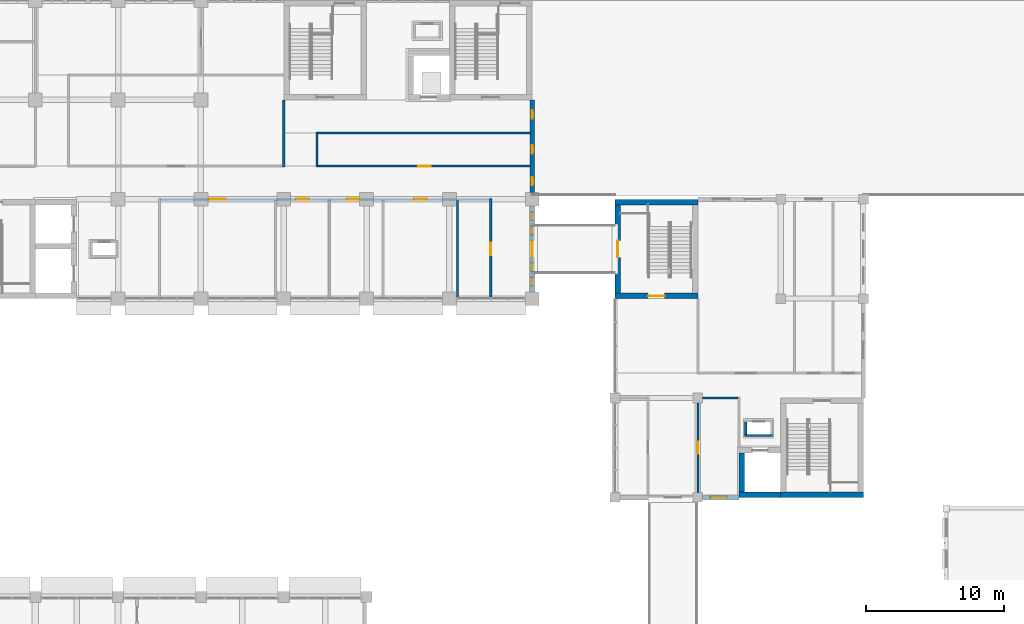
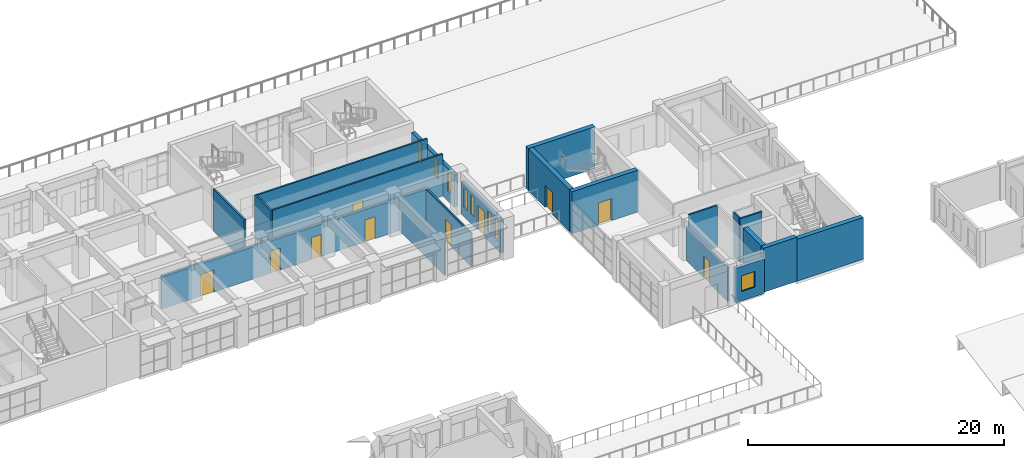
# One storey, part 76 of 101: 20 walls, 10 doors, 8 windows, 18 openings.
"""IFC4 building model written with IfcOpenShell, lengths in metres."""

from ifc_helpers import new_model, si_unit, direction, frame, frame_2d, origin, place, context, subcontext, project, spatial, rectangle, extrude, material, layer, layer_set, type_object, element, fill, save


model = new_model("IFC4")

# Units and contexts
model_context = context("Model", 3, precision=1e-05, world=origin(), true_north=direction((0.0, 1.0)))
body_context = subcontext(model_context, "Body", "Model", "MODEL_VIEW")
ifc_project = project(units=[si_unit("LENGTHUNIT", "METRE"), si_unit("AREAUNIT", "SQUARE_METRE"), si_unit("VOLUMEUNIT", "CUBIC_METRE"), si_unit("PLANEANGLEUNIT", "RADIAN"), si_unit("MASSUNIT", "GRAM", prefix="KILO")], contexts=[model_context])

# Site, building, storey
site_placement = place(None, origin())
site = spatial("IfcSite", under=ifc_project, at=site_placement, CompositionType="ELEMENT")
building_placement = place(site_placement, origin())
building = spatial("IfcBuilding", under=site, at=building_placement, Name="Laocheng Heights Fire and Rescue Headquarters", CompositionType="ELEMENT")
storey_placement = place(building_placement, frame((0.0, 0.0, 8.39990234375)))
storey = spatial("IfcBuildingStorey", under=building, at=storey_placement, Name="L02", CompositionType="ELEMENT", Elevation=8.39990234375)

# Wall, opening, door
ifc_material_1 = material(Name="Gypsum plaster")
ifc_layer_1 = layer(ifc_material_1, 0.010009765625, Name="PLASTER", Category="plaster")
ifc_material_2 = material(Name="Concrete blockwork MU10", Category="masonry")
ifc_layer_2 = layer(ifc_material_2, 0.1298828125, Name="BLOCKWORK", Category="masonry")
ifc_layer_3 = layer(ifc_material_1, 0.010009765625, Name="PLASTER", Category="plaster")
ifc_layer_set_1 = layer_set([ifc_layer_1, ifc_layer_2, ifc_layer_3], Name="Concrete blockwork MU10")
wall_type_1 = type_object("IfcWallType", Name="BLOCKWORK CORRIDOR WALL 150 EI 60 CREW WING", PredefinedType="PARTITIONING", material=ifc_layer_set_1)
wall_1_placement = place(storey_placement, frame((96.0, 36.35009765625, 0.0), z_axis=(0.0, 0.0, 1.0), x_axis=(0.0, 1.0, 0.0)))
wall_1 = element("IfcWall", 1, at=wall_1_placement, inside=storey, type_object=wall_type_1, Name="Partition L02-002", PredefinedType="PARTITIONING", context=body_context, shape_type="SweptSolid", body=[
    extrude(rectangle(XDim=6.5, YDim=0.14990234375, at=frame_2d((3.25, 0.0))), origin(), (0.0, 0.0, 1.0), 3.2001953125),
])
opening_1_placement = place(wall_1_placement, frame((2.800048828125, 0.0, 0.0)))
opening_1 = element("IfcOpeningElement", 2, at=opening_1_placement, cuts=wall_1, Name="Opening L02-T02", PredefinedType="OPENING", context=body_context, shape_type="SweptSolid", body=[
    extrude(rectangle(XDim=0.89990234375, YDim=2.10009765625, at=frame_2d((0.449951171875, 1.050048828125))), frame((0.0, 0.0849609375, 0.0), z_axis=(0.0, -1.0, 0.0), x_axis=(1.0, 0.0, 0.0)), (0.0, 0.0, 1.0), 0.169921875),
])
ifc_material_3 = material(Name="Timber door leaf, veneered", Category="wood")
door_type_1 = type_object("IfcDoorType", Name="TIMBER DOOR 900x2100 EI 30 CREW WING", OperationType="SINGLE_SWING_LEFT", PredefinedType="DOOR", material=ifc_material_3)
door_1_placement = place(opening_1_placement, frame((0.89990234375, 0.0, 0.0), z_axis=(0.0, 0.0, 1.0), x_axis=(-1.0, 0.0, 0.0)))
door_1 = element("IfcDoor", 3, at=door_1_placement, inside=storey, type_object=door_type_1, Name="Door L02-T02", OperationType="SINGLE_SWING_RIGHT", OverallHeight=2.10009765625, OverallWidth=0.89990234375, PredefinedType="DOOR", context=body_context, shape_type="SweptSolid", body=[
    extrude(rectangle(XDim=0.89990234375, YDim=2.10009765625, at=frame_2d((0.449951171875, 1.050048828125))), frame((0.0, 0.02490234375, 0.0), z_axis=(0.0, -1.0, 0.0), x_axis=(1.0, 0.0, 0.0)), (0.0, 0.0, 1.0), 0.050048828125),
])
fill(opening_1, door_1)

# Walls
wall_2_placement = place(storey_placement, frame((96.35009765625, 43.199951171875, 0.0), z_axis=(0.0, 0.0, 1.0), x_axis=(1.0, 0.0, 0.0)))
element("IfcWall", 4, at=wall_2_placement, inside=storey, type_object=wall_type_1, Name="Partition L02-008", PredefinedType="PARTITIONING", context=body_context, shape_type="SweptSolid", body=[
    extrude(rectangle(XDim=2.574951171875, YDim=0.14990234375, at=frame_2d((1.28759765625, 0.0))), origin(), (0.0, 0.0, 1.0), 4.0),
])
ifc_material_4 = material(Name="Gypsum plaster")
ifc_layer_4 = layer(ifc_material_4, 0.010009765625, Name="PLASTER", Category="plaster")
ifc_material_5 = material(Name="Concrete blockwork MU10", Category="masonry")
ifc_layer_5 = layer(ifc_material_5, 0.1298828125, Name="BLOCKWORK", Category="masonry")
ifc_layer_6 = layer(ifc_material_4, 0.010009765625, Name="PLASTER", Category="plaster")
ifc_layer_set_2 = layer_set([ifc_layer_4, ifc_layer_5, ifc_layer_6], Name="Concrete blockwork MU10")
wall_type_2 = type_object("IfcWallType", Name="BLOCKWORK CORRIDOR WALL 150 EI 60 HQ WING", PredefinedType="PARTITIONING", material=ifc_layer_set_2)
wall_3_placement = place(storey_placement, frame((66.0, 59.925048828125, 0.0), z_axis=(0.0, 0.0, 1.0), x_axis=(0.0, 1.0, 0.0)))
element("IfcWall", 5, at=wall_3_placement, inside=storey, type_object=wall_type_2, Name="Partition L02-008", PredefinedType="PARTITIONING", context=body_context, shape_type="SweptSolid", body=[
    extrude(rectangle(XDim=4.875, YDim=0.14990234375, at=frame_2d((2.4375, 0.0))), origin(), (0.0, 0.0, 1.0), 4.0),
])
wall_4_placement = place(storey_placement, frame((68.39990234375, 59.925048828125, 0.0), z_axis=(0.0, 0.0, 1.0), x_axis=(0.0, 1.0, 0.0)))
element("IfcWall", 6, at=wall_4_placement, inside=storey, type_object=wall_type_2, Name="Partition L02-009", PredefinedType="PARTITIONING", context=body_context, shape_type="SweptSolid", body=[
    extrude(rectangle(XDim=2.550048828125, YDim=0.14990234375, at=frame_2d((1.27490234375, 0.0))), origin(), (0.0, 0.0, 1.0), 4.0),
])
wall_5_placement = place(storey_placement, frame((78.60009765625, 50.47509765625, 0.0), z_axis=(0.0, 0.0, 1.0), x_axis=(0.0, 1.0, 0.0)))
element("IfcWall", 7, at=wall_5_placement, inside=storey, type_object=wall_type_2, Name="Partition L02-012", PredefinedType="PARTITIONING", context=body_context, shape_type="SweptSolid", body=[
    extrude(rectangle(XDim=7.0498046875, YDim=0.14990234375, at=frame_2d((3.52490234375, 0.0))), origin(), (0.0, 0.0, 1.0), 3.2001953125),
])

# Wall, opening, door
wall_6_placement = place(storey_placement, frame((81.0, 50.47509765625, 0.0), z_axis=(0.0, 0.0, 1.0), x_axis=(0.0, 1.0, 0.0)))
wall_6 = element("IfcWall", 8, at=wall_6_placement, inside=storey, type_object=wall_type_2, Name="Partition L02-013", PredefinedType="PARTITIONING", context=body_context, shape_type="SweptSolid", body=[
    extrude(rectangle(XDim=7.199951171875, YDim=0.14990234375, at=frame_2d((3.60009765625, 0.0))), origin(), (0.0, 0.0, 1.0), 3.2001953125),
])
opening_2_placement = place(wall_6_placement, frame((3.074951171875, 0.0, 0.0)))
opening_2 = element("IfcOpeningElement", 9, at=opening_2_placement, cuts=wall_6, Name="Opening L02-Y03", PredefinedType="OPENING", context=body_context, shape_type="SweptSolid", body=[
    extrude(rectangle(XDim=0.89990234375, YDim=2.10009765625, at=frame_2d((0.449951171875, 1.050048828125))), frame((0.0, 0.0849609375, 0.0), z_axis=(0.0, -1.0, 0.0), x_axis=(1.0, 0.0, 0.0)), (0.0, 0.0, 1.0), 0.169921875),
])
ifc_material_6 = material(Name="Timber door leaf, veneered", Category="wood")
door_type_2 = type_object("IfcDoorType", Name="TIMBER DOOR 900x2100 EI 30 HQ WING", OperationType="SINGLE_SWING_LEFT", PredefinedType="DOOR", material=ifc_material_6)
door_2_placement = place(opening_2_placement, origin())
door_2 = element("IfcDoor", 10, at=door_2_placement, inside=storey, type_object=door_type_2, Name="Door L02-Y03", OperationType="SINGLE_SWING_LEFT", OverallHeight=2.10009765625, OverallWidth=0.89990234375, PredefinedType="DOOR", context=body_context, shape_type="SweptSolid", body=[
    extrude(rectangle(XDim=0.89990234375, YDim=2.10009765625, at=frame_2d((0.449951171875, 1.050048828125))), frame((0.0, 0.02490234375, 0.0), z_axis=(0.0, -1.0, 0.0), x_axis=(1.0, 0.0, 0.0)), (0.0, 0.0, 1.0), 0.050048828125),
])
fill(opening_2, door_2)

# Wall, openings, doors
wall_7_placement = place(storey_placement, frame((57.074951171875, 57.60009765625, 0.0), z_axis=(0.0, 0.0, 1.0), x_axis=(1.0, 0.0, 0.0)))
wall_7 = element("IfcWall", 11, at=wall_7_placement, inside=storey, type_object=wall_type_2, Name="Partition L02-015", PredefinedType="PARTITIONING", context=body_context, shape_type="SweptSolid", body=[
    extrude(rectangle(XDim=23.85009765625, YDim=0.14990234375, at=frame_2d((11.925048828125, 0.0))), origin(), (0.0, 0.0, 1.0), 3.2001953125),
])
opening_3_placement = place(wall_7_placement, frame((3.52490234375, 0.0, 0.0)))
opening_3 = element("IfcOpeningElement", 12, at=opening_3_placement, cuts=wall_7, Name="Opening L02-Y04", PredefinedType="OPENING", context=body_context, shape_type="SweptSolid", body=[
    extrude(rectangle(XDim=1.199951171875, YDim=2.10009765625, at=frame_2d((0.60009765625, 1.050048828125))), frame((0.0, 0.0849609375, 0.0), z_axis=(0.0, -1.0, 0.0), x_axis=(1.0, 0.0, 0.0)), (0.0, 0.0, 1.0), 0.169921875),
])
opening_4_placement = place(wall_7_placement, frame((9.824951171875, 0.0, 0.0)))
opening_4 = element("IfcOpeningElement", 13, at=opening_4_placement, cuts=wall_7, Name="Opening L02-Y05", PredefinedType="OPENING", context=body_context, shape_type="SweptSolid", body=[
    extrude(rectangle(XDim=0.89990234375, YDim=2.10009765625, at=frame_2d((0.449951171875, 1.050048828125))), frame((0.0, 0.0849609375, 0.0), z_axis=(0.0, -1.0, 0.0), x_axis=(1.0, 0.0, 0.0)), (0.0, 0.0, 1.0), 0.169921875),
])
opening_5_placement = place(wall_7_placement, frame((13.52490234375, 0.0, 0.0)))
opening_5 = element("IfcOpeningElement", 14, at=opening_5_placement, cuts=wall_7, Name="Opening L02-Y06", PredefinedType="OPENING", context=body_context, shape_type="SweptSolid", body=[
    extrude(rectangle(XDim=0.89990234375, YDim=2.10009765625, at=frame_2d((0.449951171875, 1.050048828125))), frame((0.0, 0.0849609375, 0.0), z_axis=(0.0, -1.0, 0.0), x_axis=(1.0, 0.0, 0.0)), (0.0, 0.0, 1.0), 0.169921875),
])
opening_6_placement = place(wall_7_placement, frame((18.375, 0.0, 0.0)))
opening_6 = element("IfcOpeningElement", 15, at=opening_6_placement, cuts=wall_7, Name="Opening L02-Y07", PredefinedType="OPENING", context=body_context, shape_type="SweptSolid", body=[
    extrude(rectangle(XDim=0.89990234375, YDim=2.10009765625, at=frame_2d((0.449951171875, 1.050048828125))), frame((0.0, 0.0849609375, 0.0), z_axis=(0.0, -1.0, 0.0), x_axis=(1.0, 0.0, 0.0)), (0.0, 0.0, 1.0), 0.169921875),
])
ifc_material_7 = material(Name="Timber door leaf, veneered", Category="wood")
door_type_3 = type_object("IfcDoorType", Name="TIMBER DOOR 1200x2100 EI 30 HQ WING", OperationType="SINGLE_SWING_LEFT", PredefinedType="DOOR", material=ifc_material_7)
door_3_placement = place(opening_3_placement, frame((1.199951171875, 0.0, 0.0), z_axis=(0.0, 0.0, 1.0), x_axis=(-1.0, 0.0, 0.0)))
door_3 = element("IfcDoor", 16, at=door_3_placement, inside=storey, type_object=door_type_3, Name="Door L02-Y04", OperationType="SINGLE_SWING_RIGHT", OverallHeight=2.10009765625, OverallWidth=1.199951171875, PredefinedType="DOOR", context=body_context, shape_type="SweptSolid", body=[
    extrude(rectangle(XDim=1.199951171875, YDim=2.10009765625, at=frame_2d((0.60009765625, 1.050048828125))), frame((0.0, 0.02490234375, 0.0), z_axis=(0.0, -1.0, 0.0), x_axis=(1.0, 0.0, 0.0)), (0.0, 0.0, 1.0), 0.050048828125),
])
fill(opening_3, door_3)
door_4_placement = place(opening_4_placement, frame((0.89990234375, 0.0, 0.0), z_axis=(0.0, 0.0, 1.0), x_axis=(-1.0, 0.0, 0.0)))
door_4 = element("IfcDoor", 17, at=door_4_placement, inside=storey, type_object=door_type_2, Name="Door L02-Y05", OperationType="SINGLE_SWING_RIGHT", OverallHeight=2.10009765625, OverallWidth=0.89990234375, PredefinedType="DOOR", context=body_context, shape_type="SweptSolid", body=[
    extrude(rectangle(XDim=0.89990234375, YDim=2.10009765625, at=frame_2d((0.449951171875, 1.050048828125))), frame((0.0, 0.02490234375, 0.0), z_axis=(0.0, -1.0, 0.0), x_axis=(1.0, 0.0, 0.0)), (0.0, 0.0, 1.0), 0.050048828125),
])
fill(opening_4, door_4)
door_5_placement = place(opening_5_placement, frame((0.89990234375, 0.0, 0.0), z_axis=(0.0, 0.0, 1.0), x_axis=(-1.0, 0.0, 0.0)))
door_5 = element("IfcDoor", 18, at=door_5_placement, inside=storey, type_object=door_type_2, Name="Door L02-Y06", OperationType="SINGLE_SWING_LEFT", OverallHeight=2.10009765625, OverallWidth=0.89990234375, PredefinedType="DOOR", context=body_context, shape_type="SweptSolid", body=[
    extrude(rectangle(XDim=0.89990234375, YDim=2.10009765625, at=frame_2d((0.449951171875, 1.050048828125))), frame((0.0, 0.02490234375, 0.0), z_axis=(0.0, -1.0, 0.0), x_axis=(1.0, 0.0, 0.0)), (0.0, 0.0, 1.0), 0.050048828125),
])
fill(opening_5, door_5)
door_6_placement = place(opening_6_placement, frame((0.89990234375, 0.0, 0.0), z_axis=(0.0, 0.0, 1.0), x_axis=(-1.0, 0.0, 0.0)))
door_6 = element("IfcDoor", 19, at=door_6_placement, inside=storey, type_object=door_type_2, Name="Door L02-Y07", OperationType="SINGLE_SWING_LEFT", OverallHeight=2.10009765625, OverallWidth=0.89990234375, PredefinedType="DOOR", context=body_context, shape_type="SweptSolid", body=[
    extrude(rectangle(XDim=0.89990234375, YDim=2.10009765625, at=frame_2d((0.449951171875, 1.050048828125))), frame((0.0, 0.02490234375, 0.0), z_axis=(0.0, -1.0, 0.0), x_axis=(1.0, 0.0, 0.0)), (0.0, 0.0, 1.0), 0.050048828125),
])
fill(opening_6, door_6)

# Wall, opening, door
wall_8_placement = place(storey_placement, frame((68.47509765625, 60.0, 0.0), z_axis=(0.0, 0.0, 1.0), x_axis=(1.0, 0.0, 0.0)))
wall_8 = element("IfcWall", 20, at=wall_8_placement, inside=storey, type_object=wall_type_2, Name="Partition L02-018", PredefinedType="PARTITIONING", context=body_context, shape_type="SweptSolid", body=[
    extrude(rectangle(XDim=15.375, YDim=0.14990234375, at=frame_2d((7.6875, 0.0))), origin(), (0.0, 0.0, 1.0), 4.0),
])
opening_7_placement = place(wall_8_placement, frame((7.27490234375, 0.0, 0.0)))
opening_7 = element("IfcOpeningElement", 21, at=opening_7_placement, cuts=wall_8, Name="Opening L02-Y10", PredefinedType="OPENING", context=body_context, shape_type="SweptSolid", body=[
    extrude(rectangle(XDim=0.89990234375, YDim=2.10009765625, at=frame_2d((0.449951171875, 1.050048828125))), frame((0.0, 0.0849609375, 0.0), z_axis=(0.0, -1.0, 0.0), x_axis=(1.0, 0.0, 0.0)), (0.0, 0.0, 1.0), 0.169921875),
])
door_7_placement = place(opening_7_placement, origin())
door_7 = element("IfcDoor", 22, at=door_7_placement, inside=storey, type_object=door_type_2, Name="Door L02-Y10", OperationType="SINGLE_SWING_LEFT", OverallHeight=2.10009765625, OverallWidth=0.89990234375, PredefinedType="DOOR", context=body_context, shape_type="SweptSolid", body=[
    extrude(rectangle(XDim=0.89990234375, YDim=2.10009765625, at=frame_2d((0.449951171875, 1.050048828125))), frame((0.0, 0.02490234375, 0.0), z_axis=(0.0, -1.0, 0.0), x_axis=(1.0, 0.0, 0.0)), (0.0, 0.0, 1.0), 0.050048828125),
])
fill(opening_7, door_7)

# Wall
wall_9_placement = place(storey_placement, frame((68.47509765625, 62.39990234375, 0.0), z_axis=(0.0, 0.0, 1.0), x_axis=(1.0, 0.0, 0.0)))
element("IfcWall", 23, at=wall_9_placement, inside=storey, type_object=wall_type_2, Name="Partition L02-019", PredefinedType="PARTITIONING", context=body_context, shape_type="SweptSolid", body=[
    extrude(rectangle(XDim=15.375, YDim=0.14990234375, at=frame_2d((7.6875, 0.0))), origin(), (0.0, 0.0, 1.0), 4.0),
])

# Wall, openings, door, windows
ifc_material_8 = material(Name="Precast concrete C40/50", Category="concrete")
ifc_layer_7 = layer(ifc_material_8, 0.300048828125)
ifc_layer_set_3 = layer_set([ifc_layer_7], Name="Precast concrete C40/50")
wall_type_3 = type_object("IfcWallType", Name="PRECAST WALL PANEL 300", PredefinedType="SOLIDWALL", material=ifc_layer_set_3)
wall_10_placement = place(storey_placement, frame((84.0, 50.89990234375, 0.0), z_axis=(0.0, 0.0, 1.0), x_axis=(0.0, 1.0, 0.0)))
wall_10 = element("IfcWall", 24, at=wall_10_placement, inside=storey, type_object=wall_type_3, Name="PRECAST WALL PANEL HQ EAST L02", PredefinedType="SOLIDWALL", context=body_context, shape_type="SweptSolid", body=[
    extrude(rectangle(XDim=6.2001953125, YDim=0.300048828125, at=frame_2d((3.10009765625, 0.0))), origin(), (0.0, 0.0, 1.0), 3.10009765625),
])
opening_8_placement = place(wall_10_placement, frame((2.5, 0.0, 0.0)))
opening_8 = element("IfcOpeningElement", 25, at=opening_8_placement, cuts=wall_10, Name="Opening L02-X05", PredefinedType="OPENING", context=body_context, shape_type="SweptSolid", body=[
    extrude(rectangle(XDim=1.199951171875, YDim=2.39990234375, at=frame_2d((0.60009765625, 1.199951171875))), frame((0.0, 0.159912109375, 0.0), z_axis=(0.0, -1.0, 0.0), x_axis=(1.0, 0.0, 0.0)), (0.0, 0.0, 1.0), 0.320068359375),
])
opening_9_placement = place(wall_10_placement, frame((0.433349609375, 0.0, 0.89990234375)))
opening_9 = element("IfcOpeningElement", 26, at=opening_9_placement, cuts=wall_10, Name="Opening N1-X", PredefinedType="OPENING", context=body_context, shape_type="SweptSolid", body=[
    extrude(rectangle(XDim=0.60009765625, YDim=1.89990234375, at=frame_2d((0.300048828125, 0.949951171875))), frame((0.0, 0.159912109375, 0.0), z_axis=(0.0, -1.0, 0.0), x_axis=(1.0, 0.0, 0.0)), (0.0, 0.0, 1.0), 0.320068359375),
])
opening_10_placement = place(wall_10_placement, frame((1.466796875, 0.0, 0.89990234375)))
opening_10 = element("IfcOpeningElement", 27, at=opening_10_placement, cuts=wall_10, Name="Opening N1-X", PredefinedType="OPENING", context=body_context, shape_type="SweptSolid", body=[
    extrude(rectangle(XDim=0.60009765625, YDim=1.89990234375, at=frame_2d((0.300048828125, 0.949951171875))), frame((0.0, 0.159912109375, 0.0), z_axis=(0.0, -1.0, 0.0), x_axis=(1.0, 0.0, 0.0)), (0.0, 0.0, 1.0), 0.320068359375),
])
opening_11_placement = place(wall_10_placement, frame((4.13330078125, 0.0, 0.89990234375)))
opening_11 = element("IfcOpeningElement", 28, at=opening_11_placement, cuts=wall_10, Name="Opening N1-X", PredefinedType="OPENING", context=body_context, shape_type="SweptSolid", body=[
    extrude(rectangle(XDim=0.60009765625, YDim=1.89990234375, at=frame_2d((0.300048828125, 0.949951171875))), frame((0.0, 0.159912109375, 0.0), z_axis=(0.0, -1.0, 0.0), x_axis=(1.0, 0.0, 0.0)), (0.0, 0.0, 1.0), 0.320068359375),
])
opening_12_placement = place(wall_10_placement, frame((5.166748046875, 0.0, 0.89990234375)))
opening_12 = element("IfcOpeningElement", 29, at=opening_12_placement, cuts=wall_10, Name="Opening N1-X", PredefinedType="OPENING", context=body_context, shape_type="SweptSolid", body=[
    extrude(rectangle(XDim=0.60009765625, YDim=1.89990234375, at=frame_2d((0.300048828125, 0.949951171875))), frame((0.0, 0.159912109375, 0.0), z_axis=(0.0, -1.0, 0.0), x_axis=(1.0, 0.0, 0.0)), (0.0, 0.0, 1.0), 0.320068359375),
])
ifc_material_9 = material(Name="Dark anodised aluminium framed glazed door, low-e glazing", Category="aluminium")
door_type_4 = type_object("IfcDoorType", Name="HQ BRIDGE DOOR 1200 x 2400", OperationType="SINGLE_SWING_LEFT", PredefinedType="DOOR", material=ifc_material_9)
door_8_placement = place(opening_8_placement, frame((1.199951171875, 0.0, 0.0), z_axis=(0.0, 0.0, 1.0), x_axis=(-1.0, 0.0, 0.0)))
door_8 = element("IfcDoor", 30, at=door_8_placement, inside=storey, type_object=door_type_4, Name="HQ BRIDGE DOOR HQ EAST L02", OperationType="SINGLE_SWING_RIGHT", OverallHeight=2.39990234375, OverallWidth=1.199951171875, PredefinedType="DOOR", context=body_context, shape_type="SweptSolid", body=[
    extrude(rectangle(XDim=1.199951171875, YDim=2.39990234375, at=frame_2d((0.60009765625, 1.199951171875))), frame((0.0, 0.02490234375, 0.0), z_axis=(0.0, -1.0, 0.0), x_axis=(1.0, 0.0, 0.0)), (0.0, 0.0, 1.0), 0.050048828125),
])
fill(opening_8, door_8)
ifc_material_10 = material(Name="Low-e double glazing in aluminium frame", Category="aluminium")
window_type_1 = type_object("IfcWindowType", Name="WINDOW 600 x 1900 HQ END SLOT", PartitioningType="SINGLE_PANEL", PredefinedType="WINDOW", material=ifc_material_10)
window_1_placement = place(opening_9_placement, origin())
window_1 = element("IfcWindow", 31, at=window_1_placement, inside=storey, type_object=window_type_1, Name="HQ END SLOT HQ EAST L02", OverallHeight=1.89990234375, OverallWidth=0.60009765625, PartitioningType="SINGLE_PANEL", PredefinedType="WINDOW", context=body_context, shape_type="SweptSolid", body=[
    extrude(rectangle(XDim=0.60009765625, YDim=1.89990234375, at=frame_2d((0.300048828125, 0.949951171875))), frame((0.0, 0.030029296875, 0.0), z_axis=(0.0, -1.0, 0.0), x_axis=(1.0, 0.0, 0.0)), (0.0, 0.0, 1.0), 0.06005859375),
])
fill(opening_9, window_1)
window_2_placement = place(opening_10_placement, origin())
window_2 = element("IfcWindow", 32, at=window_2_placement, inside=storey, type_object=window_type_1, Name="HQ END SLOT HQ EAST L02", OverallHeight=1.89990234375, OverallWidth=0.60009765625, PartitioningType="SINGLE_PANEL", PredefinedType="WINDOW", context=body_context, shape_type="SweptSolid", body=[
    extrude(rectangle(XDim=0.60009765625, YDim=1.89990234375, at=frame_2d((0.300048828125, 0.949951171875))), frame((0.0, 0.030029296875, 0.0), z_axis=(0.0, -1.0, 0.0), x_axis=(1.0, 0.0, 0.0)), (0.0, 0.0, 1.0), 0.06005859375),
])
fill(opening_10, window_2)
window_3_placement = place(opening_11_placement, origin())
window_3 = element("IfcWindow", 33, at=window_3_placement, inside=storey, type_object=window_type_1, Name="HQ END SLOT HQ EAST L02", OverallHeight=1.89990234375, OverallWidth=0.60009765625, PartitioningType="SINGLE_PANEL", PredefinedType="WINDOW", context=body_context, shape_type="SweptSolid", body=[
    extrude(rectangle(XDim=0.60009765625, YDim=1.89990234375, at=frame_2d((0.300048828125, 0.949951171875))), frame((0.0, 0.030029296875, 0.0), z_axis=(0.0, -1.0, 0.0), x_axis=(1.0, 0.0, 0.0)), (0.0, 0.0, 1.0), 0.06005859375),
])
fill(opening_11, window_3)
window_4_placement = place(opening_12_placement, origin())
window_4 = element("IfcWindow", 34, at=window_4_placement, inside=storey, type_object=window_type_1, Name="HQ END SLOT HQ EAST L02", OverallHeight=1.89990234375, OverallWidth=0.60009765625, PartitioningType="SINGLE_PANEL", PredefinedType="WINDOW", context=body_context, shape_type="SweptSolid", body=[
    extrude(rectangle(XDim=0.60009765625, YDim=1.89990234375, at=frame_2d((0.300048828125, 0.949951171875))), frame((0.0, 0.030029296875, 0.0), z_axis=(0.0, -1.0, 0.0), x_axis=(1.0, 0.0, 0.0)), (0.0, 0.0, 1.0), 0.06005859375),
])
fill(opening_12, window_4)

# Wall, openings, windows
wall_11_placement = place(storey_placement, frame((84.0, 58.10009765625, 0.0), z_axis=(0.0, 0.0, 1.0), x_axis=(0.0, 1.0, 0.0)))
wall_11 = element("IfcWall", 35, at=wall_11_placement, inside=storey, type_object=wall_type_3, Name="PRECAST WALL PANEL HQ EAST L02", PredefinedType="SOLIDWALL", context=body_context, shape_type="SweptSolid", body=[
    extrude(rectangle(XDim=6.699951171875, YDim=0.300048828125, at=frame_2d((3.35009765625, 0.0))), origin(), (0.0, 0.0, 1.0), 3.10009765625),
])
opening_13_placement = place(wall_11_placement, frame((0.510009765625, 0.0, 0.89990234375)))
opening_13 = element("IfcOpeningElement", 36, at=opening_13_placement, cuts=wall_11, Name="Opening N1-X", PredefinedType="OPENING", context=body_context, shape_type="SweptSolid", body=[
    extrude(rectangle(XDim=0.60009765625, YDim=1.89990234375, at=frame_2d((0.300048828125, 0.949951171875))), frame((0.0, 0.159912109375, 0.0), z_axis=(0.0, -1.0, 0.0), x_axis=(1.0, 0.0, 0.0)), (0.0, 0.0, 1.0), 0.320068359375),
])
opening_14_placement = place(wall_11_placement, frame((2.800048828125, 0.0, 0.89990234375)))
opening_14 = element("IfcOpeningElement", 37, at=opening_14_placement, cuts=wall_11, Name="Opening N1-X", PredefinedType="OPENING", context=body_context, shape_type="SweptSolid", body=[
    extrude(rectangle(XDim=0.60009765625, YDim=1.89990234375, at=frame_2d((0.300048828125, 0.949951171875))), frame((0.0, 0.159912109375, 0.0), z_axis=(0.0, -1.0, 0.0), x_axis=(1.0, 0.0, 0.0)), (0.0, 0.0, 1.0), 0.320068359375),
])
opening_15_placement = place(wall_11_placement, frame((5.340087890625, 0.0, 0.89990234375)))
opening_15 = element("IfcOpeningElement", 38, at=opening_15_placement, cuts=wall_11, Name="Opening N1-X", PredefinedType="OPENING", context=body_context, shape_type="SweptSolid", body=[
    extrude(rectangle(XDim=0.60009765625, YDim=1.89990234375, at=frame_2d((0.300048828125, 0.949951171875))), frame((0.0, 0.159912109375, 0.0), z_axis=(0.0, -1.0, 0.0), x_axis=(1.0, 0.0, 0.0)), (0.0, 0.0, 1.0), 0.320068359375),
])
window_5_placement = place(opening_13_placement, origin())
window_5 = element("IfcWindow", 39, at=window_5_placement, inside=storey, type_object=window_type_1, Name="HQ END SLOT HQ EAST L02", OverallHeight=1.89990234375, OverallWidth=0.60009765625, PartitioningType="SINGLE_PANEL", PredefinedType="WINDOW", context=body_context, shape_type="SweptSolid", body=[
    extrude(rectangle(XDim=0.60009765625, YDim=1.89990234375, at=frame_2d((0.300048828125, 0.949951171875))), frame((0.0, 0.030029296875, 0.0), z_axis=(0.0, -1.0, 0.0), x_axis=(1.0, 0.0, 0.0)), (0.0, 0.0, 1.0), 0.06005859375),
])
fill(opening_13, window_5)
window_6_placement = place(opening_14_placement, origin())
window_6 = element("IfcWindow", 40, at=window_6_placement, inside=storey, type_object=window_type_1, Name="HQ END SLOT HQ EAST L02", OverallHeight=1.89990234375, OverallWidth=0.60009765625, PartitioningType="SINGLE_PANEL", PredefinedType="WINDOW", context=body_context, shape_type="SweptSolid", body=[
    extrude(rectangle(XDim=0.60009765625, YDim=1.89990234375, at=frame_2d((0.300048828125, 0.949951171875))), frame((0.0, 0.030029296875, 0.0), z_axis=(0.0, -1.0, 0.0), x_axis=(1.0, 0.0, 0.0)), (0.0, 0.0, 1.0), 0.06005859375),
])
fill(opening_14, window_6)
window_7_placement = place(opening_15_placement, origin())
window_7 = element("IfcWindow", 41, at=window_7_placement, inside=storey, type_object=window_type_1, Name="HQ END SLOT HQ EAST L02", OverallHeight=1.89990234375, OverallWidth=0.60009765625, PartitioningType="SINGLE_PANEL", PredefinedType="WINDOW", context=body_context, shape_type="SweptSolid", body=[
    extrude(rectangle(XDim=0.60009765625, YDim=1.89990234375, at=frame_2d((0.300048828125, 0.949951171875))), frame((0.0, 0.030029296875, 0.0), z_axis=(0.0, -1.0, 0.0), x_axis=(1.0, 0.0, 0.0)), (0.0, 0.0, 1.0), 0.06005859375),
])
fill(opening_15, window_7)

# Wall, opening, window
ifc_material_11 = material(Name="Precast concrete C40/50", Category="concrete")
ifc_layer_8 = layer(ifc_material_11, 0.300048828125)
ifc_layer_set_4 = layer_set([ifc_layer_8], Name="Precast concrete C40/50")
wall_type_4 = type_object("IfcWallType", Name="PRECAST WALL PANEL CREW 300", PredefinedType="SOLIDWALL", material=ifc_layer_set_4)
wall_12_placement = place(storey_placement, frame((96.35009765625, 36.0, 0.0), z_axis=(0.0, 0.0, 1.0), x_axis=(1.0, 0.0, 0.0)))
wall_12 = element("IfcWall", 42, at=wall_12_placement, inside=storey, type_object=wall_type_4, Name="PRECAST WALL PANEL CREW CREW SOUTH L02", PredefinedType="SOLIDWALL", context=body_context, shape_type="SweptSolid", body=[
    extrude(rectangle(XDim=2.64990234375, YDim=0.300048828125, at=frame_2d((1.324951171875, 0.0))), origin(), (0.0, 0.0, 1.0), 3.300048828125),
])
opening_16_placement = place(wall_12_placement, frame((0.56494140625, 0.0, 0.89990234375)))
opening_16 = element("IfcOpeningElement", 43, at=opening_16_placement, cuts=wall_12, Name="Opening N3-W", PredefinedType="OPENING", context=body_context, shape_type="SweptSolid", body=[
    extrude(rectangle(XDim=1.199951171875, YDim=1.5, at=frame_2d((0.60009765625, 0.75))), frame((0.0, 0.159912109375, 0.0), z_axis=(0.0, -1.0, 0.0), x_axis=(1.0, 0.0, 0.0)), (0.0, 0.0, 1.0), 0.320068359375),
])
ifc_material_12 = material(Name="Low-e double glazing in aluminium frame", Category="aluminium")
window_type_2 = type_object("IfcWindowType", Name="WINDOW 1200 x 1500 CREW GENERAL", PartitioningType="SINGLE_PANEL", PredefinedType="WINDOW", material=ifc_material_12)
window_8_placement = place(opening_16_placement, origin())
window_8 = element("IfcWindow", 44, at=window_8_placement, inside=storey, type_object=window_type_2, Name="CREW GENERAL CREW SOUTH L02", OverallHeight=1.5, OverallWidth=1.199951171875, PartitioningType="SINGLE_PANEL", PredefinedType="WINDOW", context=body_context, shape_type="SweptSolid", body=[
    extrude(rectangle(XDim=1.199951171875, YDim=1.5, at=frame_2d((0.60009765625, 0.75))), frame((0.0, 0.030029296875, 0.0), z_axis=(0.0, -1.0, 0.0), x_axis=(1.0, 0.0, 0.0)), (0.0, 0.0, 1.0), 0.06005859375),
])
fill(opening_16, window_8)

# Walls
ifc_material_13 = material(Name="Concrete C50", Category="concrete")
ifc_layer_9 = layer(ifc_material_13, 0.39990234375)
ifc_layer_set_5 = layer_set([ifc_layer_9], Name="Concrete C50")
wall_type_5 = type_object("IfcWallType", Name="RC LIFT SHAFT WALL 400", PredefinedType="SHEAR", material=ifc_layer_set_5)
wall_13_placement = place(storey_placement, frame((99.0, 36.199951171875, 0.0), z_axis=(0.0, 0.0, 1.0), x_axis=(1.0, 0.0, 0.0)))
element("IfcWall", 45, at=wall_13_placement, inside=storey, type_object=wall_type_5, Name="Lift shaft wall", PredefinedType="SHEAR", context=body_context, shape_type="SweptSolid", body=[
    extrude(rectangle(XDim=3.0, YDim=0.39990234375, at=frame_2d((1.5, 0.0))), origin(), (0.0, 0.0, 1.0), 4.2001953125),
])
wall_14_placement = place(storey_placement, frame((99.199951171875, 36.39990234375, 0.0), z_axis=(0.0, 0.0, 1.0), x_axis=(0.0, 1.0, 0.0)))
element("IfcWall", 46, at=wall_14_placement, inside=storey, type_object=wall_type_5, Name="Lift shaft wall", PredefinedType="SHEAR", context=body_context, shape_type="SweptSolid", body=[
    extrude(rectangle(XDim=2.800048828125, YDim=0.39990234375, at=frame_2d((1.39990234375, 0.0))), origin(), (0.0, 0.0, 1.0), 4.2001953125),
])
ifc_material_14 = material(Name="Concrete C50", Category="concrete")
ifc_layer_10 = layer(ifc_material_14, 0.39990234375)
ifc_layer_set_6 = layer_set([ifc_layer_10], Name="Concrete C50")
wall_type_6 = type_object("IfcWallType", Name="RC STAIR ENCLOSURE WALL 400", PredefinedType="SHEAR", material=ifc_layer_set_6)
wall_15_placement = place(storey_placement, frame((102.0, 36.199951171875, 0.0), z_axis=(0.0, 0.0, 1.0), x_axis=(1.0, 0.0, 0.0)))
element("IfcWall", 47, at=wall_15_placement, inside=storey, type_object=wall_type_6, Name="Stair enclosure wall", PredefinedType="SHEAR", context=body_context, shape_type="SweptSolid", body=[
    extrude(rectangle(XDim=6.0, YDim=0.39990234375, at=frame_2d((3.0, 0.0))), origin(), (0.0, 0.0, 1.0), 4.0),
])

# Wall, opening, door
wall_16_placement = place(storey_placement, frame((90.0, 50.60009765625, 0.0), z_axis=(0.0, 0.0, 1.0), x_axis=(1.0, 0.0, 0.0)))
wall_16 = element("IfcWall", 48, at=wall_16_placement, inside=storey, type_object=wall_type_6, Name="Stair enclosure wall", PredefinedType="SHEAR", context=body_context, shape_type="SweptSolid", body=[
    extrude(rectangle(XDim=6.0, YDim=0.39990234375, at=frame_2d((3.0, 0.0))), origin(), (0.0, 0.0, 1.0), 4.0),
])
opening_17_placement = place(wall_16_placement, frame((2.39990234375, 0.0, 0.0)))
opening_17 = element("IfcOpeningElement", 49, at=opening_17_placement, cuts=wall_16, Name="Opening L02-K19", PredefinedType="OPENING", context=body_context, shape_type="SweptSolid", body=[
    extrude(rectangle(XDim=1.199951171875, YDim=2.10009765625, at=frame_2d((0.60009765625, 1.050048828125))), frame((0.0, 0.2099609375, 0.0), z_axis=(0.0, -1.0, 0.0), x_axis=(1.0, 0.0, 0.0)), (0.0, 0.0, 1.0), 0.419921875),
])
ifc_material_15 = material(Name="Painted steel", Category="steel")
door_type_5 = type_object("IfcDoorType", Name="FIRE DOOR 1200x2100 EI 60", OperationType="SINGLE_SWING_LEFT", PredefinedType="DOOR", material=ifc_material_15)
door_9_placement = place(opening_17_placement, frame((1.199951171875, 0.0, 0.0), z_axis=(0.0, 0.0, 1.0), x_axis=(-1.0, 0.0, 0.0)))
door_9 = element("IfcDoor", 50, at=door_9_placement, inside=storey, type_object=door_type_5, Name="Stair C2 door", OperationType="SINGLE_SWING_LEFT", OverallHeight=2.10009765625, OverallWidth=1.199951171875, PredefinedType="DOOR", context=body_context, shape_type="SweptSolid", body=[
    extrude(rectangle(XDim=1.199951171875, YDim=2.10009765625, at=frame_2d((0.60009765625, 1.050048828125))), frame((0.0, 0.02490234375, 0.0), z_axis=(0.0, -1.0, 0.0), x_axis=(1.0, 0.0, 0.0)), (0.0, 0.0, 1.0), 0.050048828125),
])
fill(opening_17, door_9)

# Wall
wall_17_placement = place(storey_placement, frame((90.0, 57.39990234375, 0.0), z_axis=(0.0, 0.0, 1.0), x_axis=(1.0, 0.0, 0.0)))
element("IfcWall", 51, at=wall_17_placement, inside=storey, type_object=wall_type_6, Name="Stair enclosure wall", PredefinedType="SHEAR", context=body_context, shape_type="SweptSolid", body=[
    extrude(rectangle(XDim=6.0, YDim=0.39990234375, at=frame_2d((3.0, 0.0))), origin(), (0.0, 0.0, 1.0), 4.0),
])

# Wall, opening, door
wall_18_placement = place(storey_placement, frame((90.199951171875, 50.800048828125, 0.0), z_axis=(0.0, 0.0, 1.0), x_axis=(0.0, 1.0, 0.0)))
wall_18 = element("IfcWall", 52, at=wall_18_placement, inside=storey, type_object=wall_type_6, Name="Stair enclosure wall", PredefinedType="SHEAR", context=body_context, shape_type="SweptSolid", body=[
    extrude(rectangle(XDim=6.39990234375, YDim=0.39990234375, at=frame_2d((3.199951171875, 0.0))), origin(), (0.0, 0.0, 1.0), 4.0),
])
opening_18_placement = place(wall_18_placement, frame((2.60009765625, 0.0, 0.0)))
opening_18 = element("IfcOpeningElement", 53, at=opening_18_placement, cuts=wall_18, Name="Opening L02-K20", PredefinedType="OPENING", context=body_context, shape_type="SweptSolid", body=[
    extrude(rectangle(XDim=1.199951171875, YDim=2.10009765625, at=frame_2d((0.60009765625, 1.050048828125))), frame((0.0, 0.2099609375, 0.0), z_axis=(0.0, -1.0, 0.0), x_axis=(1.0, 0.0, 0.0)), (0.0, 0.0, 1.0), 0.419921875),
])
door_10_placement = place(opening_18_placement, origin())
door_10 = element("IfcDoor", 54, at=door_10_placement, inside=storey, type_object=door_type_5, Name="Stair C2 bridge door B3", OperationType="SINGLE_SWING_LEFT", OverallHeight=2.10009765625, OverallWidth=1.199951171875, PredefinedType="DOOR", context=body_context, shape_type="SweptSolid", body=[
    extrude(rectangle(XDim=1.199951171875, YDim=2.10009765625, at=frame_2d((0.60009765625, 1.050048828125))), frame((0.0, 0.02490234375, 0.0), z_axis=(0.0, -1.0, 0.0), x_axis=(1.0, 0.0, 0.0)), (0.0, 0.0, 1.0), 0.050048828125),
])
fill(opening_18, door_10)

# Walls
ifc_material_16 = material(Name="Concrete C30", Category="concrete")
ifc_layer_11 = layer(ifc_material_16, 0.14990234375)
ifc_layer_set_7 = layer_set([ifc_layer_11], Name="Concrete C30")
wall_type_7 = type_object("IfcWallType", Name="RISER SHAFT WALL 150", PredefinedType="SOLIDWALL", material=ifc_layer_set_7)
wall_19_placement = place(storey_placement, frame((99.39990234375, 40.47509765625, 0.0), z_axis=(0.0, 0.0, 1.0), x_axis=(1.0, 0.0, 0.0)))
element("IfcWall", 55, at=wall_19_placement, inside=storey, type_object=wall_type_7, Name="Riser shaft wall", PredefinedType="SOLIDWALL", context=body_context, shape_type="SweptSolid", body=[
    extrude(rectangle(XDim=2.0, YDim=0.14990234375, at=frame_2d((1.0, 0.0))), origin(), (0.0, 0.0, 1.0), 4.2001953125),
])
wall_20_placement = place(storey_placement, frame((99.47509765625, 40.550048828125, 0.0), z_axis=(0.0, 0.0, 1.0), x_axis=(0.0, 1.0, 0.0)))
element("IfcWall", 56, at=wall_20_placement, inside=storey, type_object=wall_type_7, Name="Riser shaft wall", PredefinedType="SOLIDWALL", context=body_context, shape_type="SweptSolid", body=[
    extrude(rectangle(XDim=0.89990234375, YDim=0.14990234375, at=frame_2d((0.449951171875, 0.0))), origin(), (0.0, 0.0, 1.0), 4.2001953125),
])

save(model, "model.ifc")
